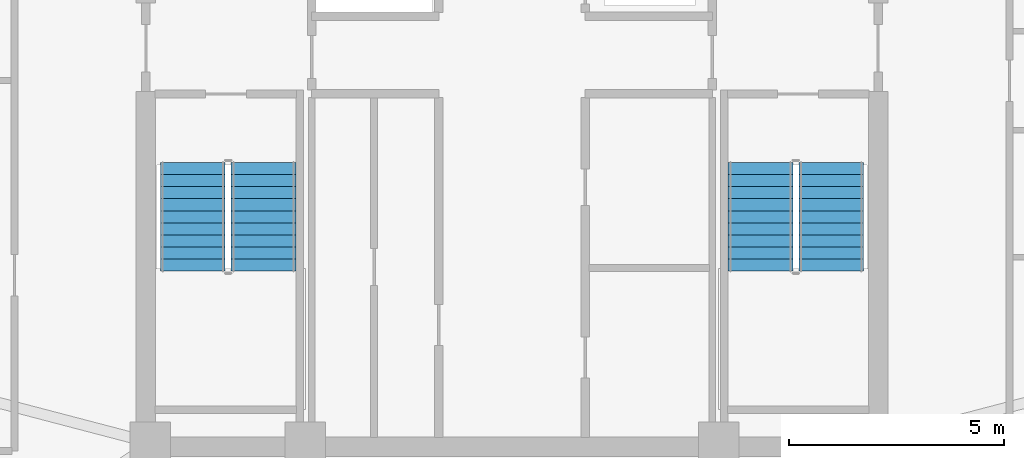
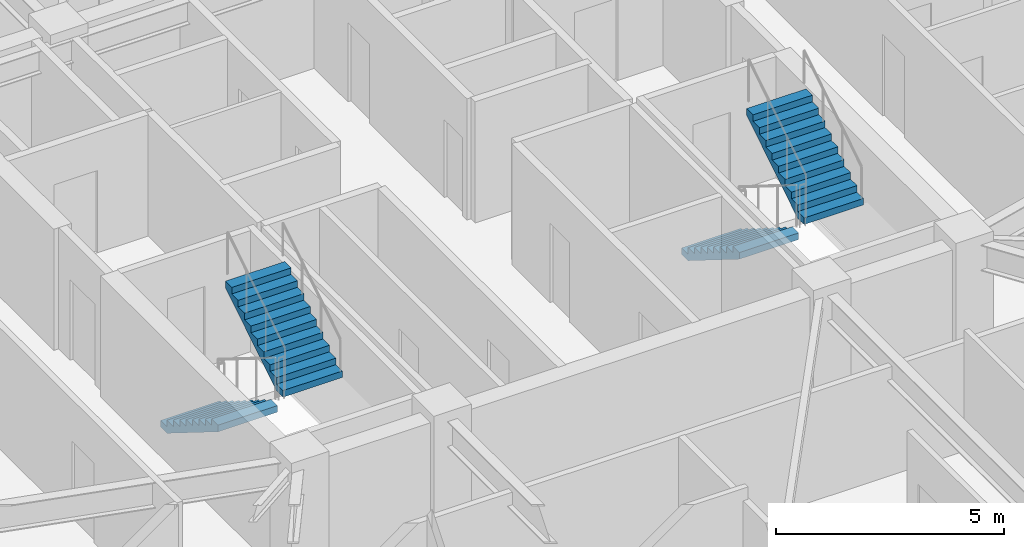
# One storey, part 12 of 17: 4 stair flights, 2 elements without a shape of their own.
"""IFC4 building model written with IfcOpenShell, lengths in metres."""

from ifc_helpers import new_model, si_unit, direction, frame, origin, place, context, subcontext, project, spatial, polyline, outline, extrude, material, type_object, element, aggregate, save


model = new_model("IFC4")

# Units and contexts
model_context = context("Model", 3, precision=1e-05, world=origin(), true_north=direction((0.0, 1.0)))
body_context = subcontext(model_context, "Body", "Model", "MODEL_VIEW")
ifc_project = project(units=[si_unit("LENGTHUNIT", "METRE"), si_unit("AREAUNIT", "SQUARE_METRE"), si_unit("VOLUMEUNIT", "CUBIC_METRE"), si_unit("PLANEANGLEUNIT", "RADIAN"), si_unit("MASSUNIT", "GRAM", prefix="KILO")], contexts=[model_context])

# Site, building, storey
site_placement = place(None, origin())
site = spatial("IfcSite", under=ifc_project, at=site_placement, CompositionType="ELEMENT")
building_placement = place(site_placement, origin())
building = spatial("IfcBuilding", under=site, at=building_placement, Name="Cairnveth Concourse Tower", CompositionType="ELEMENT")
storey_placement = place(building_placement, frame((0.0, 0.0, 272.5)))
storey = spatial("IfcBuildingStorey", under=building, at=storey_placement, Name="L75", CompositionType="ELEMENT", Elevation=272.5)

# Stair, stair flights
ifc_material = material(Name="Precast concrete N50 (50 MPa)", Category="concrete")
stair_type = type_object("IfcStairType", Name="CORE DOG-LEG FIRE STAIR 1500", PredefinedType="HALF_TURN_STAIR", material=ifc_material)
stair_1_placement = place(storey_placement, origin())
stair_1 = element("IfcStair", 1, at=stair_1_placement, inside=storey, type_object=stair_type, Name="L75 Fire-Isolated Stair ST-1", PredefinedType="HALF_TURN_STAIR")
stair_flight_type = type_object("IfcStairFlightType", Name="PRECAST CONCRETE STAIR FLIGHT 1500", PredefinedType="STRAIGHT", material=ifc_material)
stair_flight_1_placement = place(storey_placement, frame((44.590087890625, 37.10009765625, 0.0), z_axis=(0.0, 0.0, 1.0), x_axis=(0.0, -1.0, 0.0)))
stair_flight_1 = element("IfcStairFlight", 2, at=stair_flight_1_placement, type_object=stair_flight_type, Name="ST-1 flight 1", NumberOfRisers=10, NumberOfTreads=9, PredefinedType="STRAIGHT", RiserHeight=0.175, TreadLength=0.28, context=body_context, shape_type="SweptSolid", body=[
    extrude(outline(polyline([(0.0, 0.0), (0.0, 0.175048828125), (0.280029296875, 0.175048828125), (0.280029296875, 0.35009765625), (0.56005859375, 0.35009765625), (0.56005859375, 0.52490234375), (0.840087890625, 0.52490234375), (0.840087890625, 0.699951171875), (1.1201171875, 0.699951171875), (1.1201171875, 0.875), (1.39990234375, 0.875), (1.39990234375, 1.050048828125), (1.679931640625, 1.050048828125), (1.679931640625, 1.22509765625), (1.9599609375, 1.22509765625), (1.9599609375, 1.39990234375), (2.239990234375, 1.39990234375), (2.239990234375, 1.574951171875), (2.52001953125, 1.574951171875), (2.52001953125, 1.75), (2.52001953125, 1.398193359375), (0.28271484375, 0.0), (0.0, 0.0)])), frame((0.0, 0.75, 0.0), z_axis=(0.0, -1.0, 0.0), x_axis=(1.0, 0.0, 0.0)), (0.0, 0.0, 1.0), 1.5),
])
stair_flight_2_placement = place(storey_placement, frame((46.22998046875, 34.580078125, 1.75), z_axis=(0.0, 0.0, 1.0), x_axis=(0.0, 1.0, 0.0)))
stair_flight_2 = element("IfcStairFlight", 3, at=stair_flight_2_placement, type_object=stair_flight_type, Name="ST-1 flight 2", NumberOfRisers=10, NumberOfTreads=9, PredefinedType="STRAIGHT", RiserHeight=0.175, TreadLength=0.28, context=body_context, shape_type="SweptSolid", body=[
    extrude(outline(polyline([(0.0, 0.0), (0.0, 0.175048828125), (0.280029296875, 0.175048828125), (0.280029296875, 0.35009765625), (0.56005859375, 0.35009765625), (0.56005859375, 0.52490234375), (0.840087890625, 0.52490234375), (0.840087890625, 0.699951171875), (1.1201171875, 0.699951171875), (1.1201171875, 0.875), (1.39990234375, 0.875), (1.39990234375, 1.050048828125), (1.679931640625, 1.050048828125), (1.679931640625, 1.22509765625), (1.9599609375, 1.22509765625), (1.9599609375, 1.39990234375), (2.239990234375, 1.39990234375), (2.239990234375, 1.574951171875), (2.52001953125, 1.574951171875), (2.52001953125, 1.75), (2.52001953125, 1.398193359375), (0.28271484375, 0.0), (0.0, 0.0)])), frame((0.0, 0.75, 0.0), z_axis=(0.0, -1.0, 0.0), x_axis=(1.0, 0.0, 0.0)), (0.0, 0.0, 1.0), 1.5),
])
aggregate(stair_1, [stair_flight_1, stair_flight_2])

stair_2_placement = place(storey_placement, origin())
stair_2 = element("IfcStair", 4, at=stair_2_placement, inside=storey, type_object=stair_type, Name="L75 Fire-Isolated Stair ST-2", PredefinedType="HALF_TURN_STAIR")
stair_flight_3_placement = place(storey_placement, frame((57.77001953125, 37.10009765625, 0.0), z_axis=(0.0, 0.0, 1.0), x_axis=(0.0, -1.0, 0.0)))
stair_flight_3 = element("IfcStairFlight", 5, at=stair_flight_3_placement, type_object=stair_flight_type, Name="ST-2 flight 1", NumberOfRisers=10, NumberOfTreads=9, PredefinedType="STRAIGHT", RiserHeight=0.175, TreadLength=0.28, context=body_context, shape_type="SweptSolid", body=[
    extrude(outline(polyline([(0.0, 0.0), (0.0, 0.175048828125), (0.280029296875, 0.175048828125), (0.280029296875, 0.35009765625), (0.56005859375, 0.35009765625), (0.56005859375, 0.52490234375), (0.840087890625, 0.52490234375), (0.840087890625, 0.699951171875), (1.1201171875, 0.699951171875), (1.1201171875, 0.875), (1.39990234375, 0.875), (1.39990234375, 1.050048828125), (1.679931640625, 1.050048828125), (1.679931640625, 1.22509765625), (1.9599609375, 1.22509765625), (1.9599609375, 1.39990234375), (2.239990234375, 1.39990234375), (2.239990234375, 1.574951171875), (2.52001953125, 1.574951171875), (2.52001953125, 1.75), (2.52001953125, 1.398193359375), (0.28271484375, 0.0), (0.0, 0.0)])), frame((0.0, 0.75, 0.0), z_axis=(0.0, -1.0, 0.0), x_axis=(1.0, 0.0, 0.0)), (0.0, 0.0, 1.0), 1.5),
])
stair_flight_4_placement = place(storey_placement, frame((59.409912109375, 34.580078125, 1.75), z_axis=(0.0, 0.0, 1.0), x_axis=(0.0, 1.0, 0.0)))
stair_flight_4 = element("IfcStairFlight", 6, at=stair_flight_4_placement, type_object=stair_flight_type, Name="ST-2 flight 2", NumberOfRisers=10, NumberOfTreads=9, PredefinedType="STRAIGHT", RiserHeight=0.175, TreadLength=0.28, context=body_context, shape_type="SweptSolid", body=[
    extrude(outline(polyline([(0.0, 0.0), (0.0, 0.175048828125), (0.280029296875, 0.175048828125), (0.280029296875, 0.35009765625), (0.56005859375, 0.35009765625), (0.56005859375, 0.52490234375), (0.840087890625, 0.52490234375), (0.840087890625, 0.699951171875), (1.1201171875, 0.699951171875), (1.1201171875, 0.875), (1.39990234375, 0.875), (1.39990234375, 1.050048828125), (1.679931640625, 1.050048828125), (1.679931640625, 1.22509765625), (1.9599609375, 1.22509765625), (1.9599609375, 1.39990234375), (2.239990234375, 1.39990234375), (2.239990234375, 1.574951171875), (2.52001953125, 1.574951171875), (2.52001953125, 1.75), (2.52001953125, 1.398193359375), (0.28271484375, 0.0), (0.0, 0.0)])), frame((0.0, 0.75, 0.0), z_axis=(0.0, -1.0, 0.0), x_axis=(1.0, 0.0, 0.0)), (0.0, 0.0, 1.0), 1.5),
])
aggregate(stair_2, [stair_flight_3, stair_flight_4])

save(model, "model.ifc")
